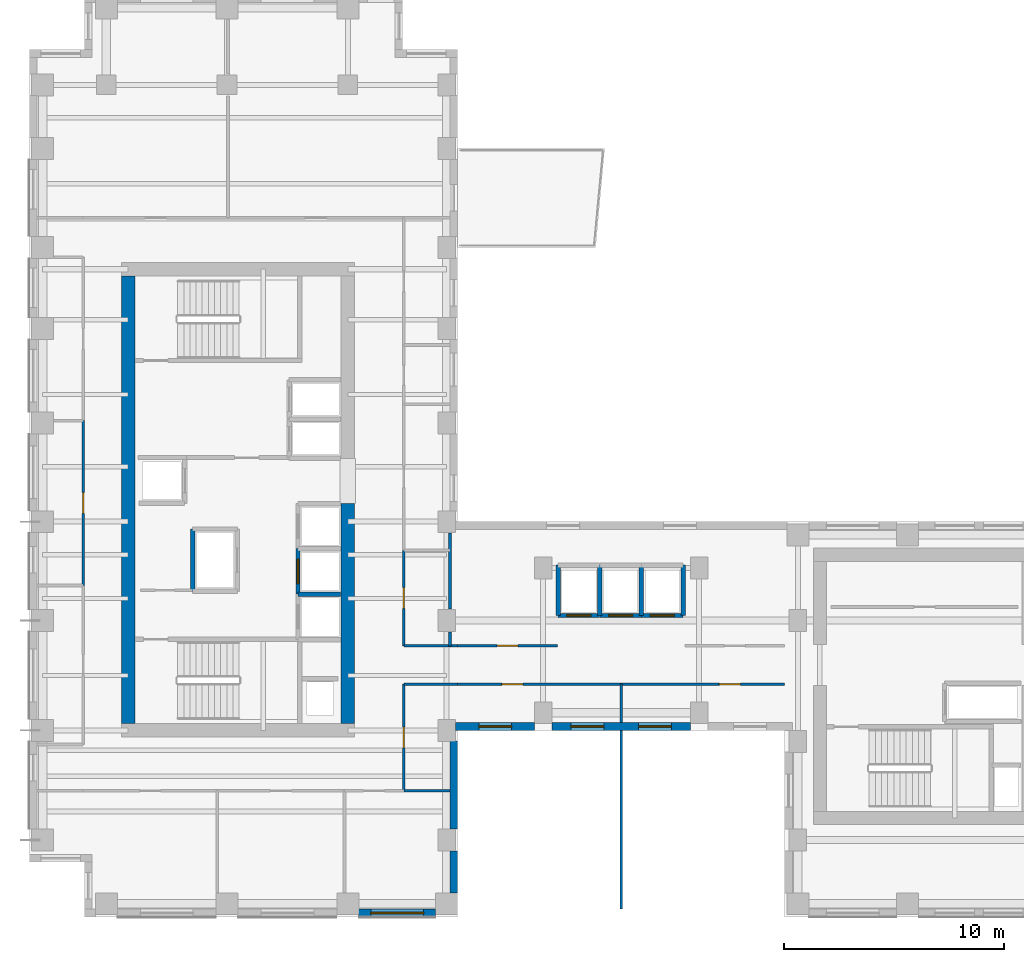
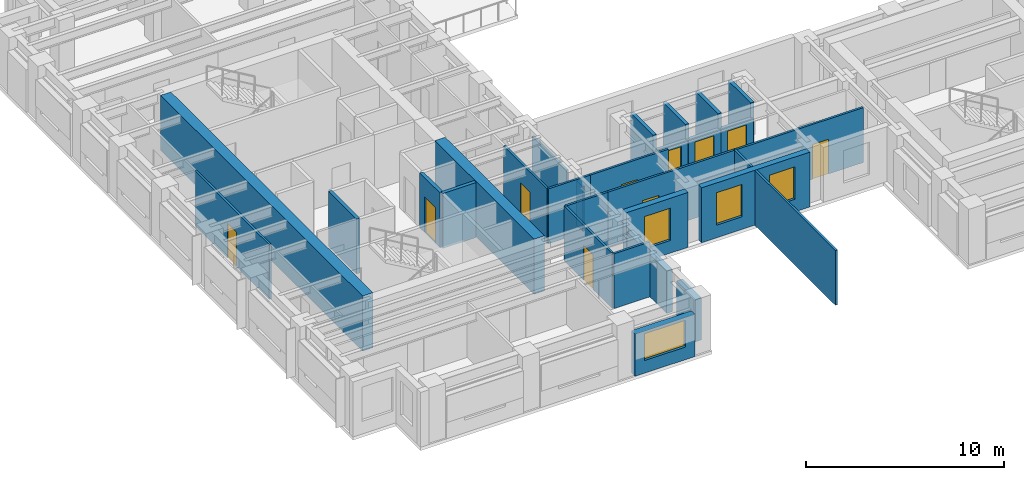
# One storey, part 4 of 10: 30 walls, 10 doors, 4 windows, 14 openings.
"""IFC4 building model written with IfcOpenShell, lengths in metres."""

from ifc_helpers import new_model, si_unit, direction, frame, frame_2d, origin, place, context, subcontext, project, spatial, rectangle, extrude, source, transform, mapped, material, layer, layer_set, type_object, element, fill, save


model = new_model("IFC4")

# Units and contexts
model_context = context("Model", 3, precision=1e-05, world=origin(), true_north=direction((0.0, 1.0)))
body_context = subcontext(model_context, "Body", "Model", "MODEL_VIEW")
ifc_project = project(units=[si_unit("LENGTHUNIT", "METRE"), si_unit("AREAUNIT", "SQUARE_METRE"), si_unit("VOLUMEUNIT", "CUBIC_METRE"), si_unit("PLANEANGLEUNIT", "RADIAN"), si_unit("MASSUNIT", "GRAM", prefix="KILO")], contexts=[model_context])

# Site, building, storey
site_placement = place(None, origin())
site = spatial("IfcSite", under=ifc_project, at=site_placement, CompositionType="ELEMENT")
building_placement = place(site_placement, origin())
building = spatial("IfcBuilding", under=site, at=building_placement, Name="Kharzan Plaza Tower", CompositionType="ELEMENT")
storey_placement = place(building_placement, frame((0.0, 0.0, 157.5)))
storey = spatial("IfcBuildingStorey", under=building, at=storey_placement, Name="L42", CompositionType="ELEMENT", Elevation=157.5)

# Wall, opening, window
ifc_material_1 = material(Name="Concrete C40/50", Category="concrete")
ifc_layer_1 = layer(ifc_material_1, 0.35009765625)
ifc_layer_set_1 = layer_set([ifc_layer_1], Name="Concrete C40/50")
wall_type_1 = type_object("IfcWallType", Name="WL-EXT-MAS-Z3", PredefinedType="SOLIDWALL", material=ifc_layer_set_1)
wall_1_placement = place(storey_placement, frame((14.998046875, 0.175048828125, 0.0), z_axis=(0.0, 0.0, 1.0), x_axis=(1.0, 0.0, 0.0)))
wall_1 = element("IfcWall", 1, at=wall_1_placement, inside=storey, type_object=wall_type_1, Name="L42 Masonry-Frame Exterior Wall 23", PredefinedType="SOLIDWALL", context=body_context, shape_type="SweptSolid", body=[
    extrude(rectangle(XDim=3.50390625, YDim=0.35009765625, at=frame_2d((1.751953125, 0.0))), origin(), (0.0, 0.0, 1.0), 2.612060546875),
])
opening_1_placement = place(wall_1_placement, frame((0.552001953125, 0.0, 0.780029296875)))
opening_1 = element("IfcOpeningElement", 2, at=opening_1_placement, cuts=wall_1, Name="Opening W2", PredefinedType="OPENING", context=body_context, shape_type="SweptSolid", body=[
    extrude(rectangle(XDim=2.39990234375, YDim=1.652099609375, at=frame_2d((1.199951171875, 0.826171875))), frame((0.0, 0.18505859375, 0.0), z_axis=(0.0, -1.0, 0.0), x_axis=(1.0, 0.0, 0.0)), (0.0, 0.0, 1.0), 0.3701171875),
])
ifc_material_2 = material(Name="Low-E Double Glazing", Category="glass")
window_type_1 = type_object("IfcWindowType", Name="WN-REC-2400x2100", PartitioningType="SINGLE_PANEL", PredefinedType="WINDOW", material=ifc_material_2)
shared_shape_1 = source(origin(), body_context, "Body", "SweptSolid", [
    extrude(rectangle(XDim=2.39990234375, YDim=1.652099609375, at=frame_2d((1.199951171875, 0.826171875))), frame((0.0, 0.030029296875, 0.0), z_axis=(0.0, -1.0, 0.0), x_axis=(1.0, 0.0, 0.0)), (0.0, 0.0, 1.0), 0.06005859375),
])
window_1_placement = place(opening_1_placement, origin())
window_1 = element("IfcWindow", 3, at=window_1_placement, inside=storey, type_object=window_type_1, Name="L42 Wide Recessed Solar-Control Window 23-1", OverallHeight=1.652099609375, OverallWidth=2.39990234375, PartitioningType="SINGLE_PANEL", PredefinedType="WINDOW", context=body_context, shape_type="MappedRepresentation", body=[
    mapped(shared_shape_1, transform((0.0, 0.0, 0.0), x_axis=(1.0, 0.0, 0.0), y_axis=(0.0, 1.0, 0.0), z_axis=(0.0, 0.0, 1.0))),
])
fill(opening_1, window_1)

wall_2_placement = place(storey_placement, frame((19.39794921875, 8.675048828125, 0.0), z_axis=(0.0, 0.0, 1.0), x_axis=(1.0, 0.0, 0.0)))
wall_2 = element("IfcWall", 4, at=wall_2_placement, inside=storey, type_object=wall_type_1, Name="L42 Masonry-Frame Exterior Wall 26", PredefinedType="SOLIDWALL", context=body_context, shape_type="SweptSolid", body=[
    extrude(rectangle(XDim=3.60400390625, YDim=0.35009765625, at=frame_2d((1.802001953125, 0.0))), origin(), (0.0, 0.0, 1.0), 3.385009765625),
])
opening_2_placement = place(wall_2_placement, frame((1.067138671875, 0.0, 0.780029296875)))
opening_2 = element("IfcOpeningElement", 5, at=opening_2_placement, cuts=wall_2, Name="Opening W5", PredefinedType="OPENING", context=body_context, shape_type="SweptSolid", body=[
    extrude(rectangle(XDim=1.5, YDim=2.0, at=frame_2d((0.75, 1.0))), frame((0.0, 0.18505859375, 0.0), z_axis=(0.0, -1.0, 0.0), x_axis=(1.0, 0.0, 0.0)), (0.0, 0.0, 1.0), 0.3701171875),
])
window_type_2 = type_object("IfcWindowType", Name="WN-SLT-1500x2000", PartitioningType="SINGLE_PANEL", PredefinedType="WINDOW", material=ifc_material_2)
shared_shape_2 = source(origin(), body_context, "Body", "SweptSolid", [
    extrude(rectangle(XDim=1.5, YDim=2.0, at=frame_2d((0.75, 1.0))), frame((0.0, 0.030029296875, 0.0), z_axis=(0.0, -1.0, 0.0), x_axis=(1.0, 0.0, 0.0)), (0.0, 0.0, 1.0), 0.06005859375),
])
window_2_placement = place(opening_2_placement, origin())
window_2 = element("IfcWindow", 6, at=window_2_placement, inside=storey, type_object=window_type_2, Name="L42 Recessed Solar-Control Window 26-1", OverallHeight=2.0, OverallWidth=1.5, PartitioningType="SINGLE_PANEL", PredefinedType="WINDOW", context=body_context, shape_type="MappedRepresentation", body=[
    mapped(shared_shape_2, transform((0.0, 0.0, 0.0), x_axis=(1.0, 0.0, 0.0), y_axis=(0.0, 1.0, 0.0), z_axis=(0.0, 0.0, 1.0))),
])
fill(opening_2, window_2)

# Wall, openings, windows
wall_3_placement = place(storey_placement, frame((23.798095703125, 8.675048828125, 0.0), z_axis=(0.0, 0.0, 1.0), x_axis=(1.0, 0.0, 0.0)))
wall_3 = element("IfcWall", 7, at=wall_3_placement, inside=storey, type_object=wall_type_1, Name="L42 Masonry-Frame Exterior Wall 27", PredefinedType="SOLIDWALL", context=body_context, shape_type="SweptSolid", body=[
    extrude(rectangle(XDim=6.303955078125, YDim=0.35009765625, at=frame_2d((3.15185546875, 0.0))), origin(), (0.0, 0.0, 1.0), 3.385009765625),
])
opening_3_placement = place(wall_3_placement, frame((0.861083984375, 0.0, 0.780029296875)))
opening_3 = element("IfcOpeningElement", 8, at=opening_3_placement, cuts=wall_3, Name="Opening W5", PredefinedType="OPENING", context=body_context, shape_type="SweptSolid", body=[
    extrude(rectangle(XDim=1.5, YDim=2.0, at=frame_2d((0.75, 1.0))), frame((0.0, 0.18505859375, 0.0), z_axis=(0.0, -1.0, 0.0), x_axis=(1.0, 0.0, 0.0)), (0.0, 0.0, 1.0), 0.3701171875),
])
opening_4_placement = place(wall_3_placement, frame((3.943115234375, 0.0, 0.780029296875)))
opening_4 = element("IfcOpeningElement", 9, at=opening_4_placement, cuts=wall_3, Name="Opening W5", PredefinedType="OPENING", context=body_context, shape_type="SweptSolid", body=[
    extrude(rectangle(XDim=1.5, YDim=2.0, at=frame_2d((0.75, 1.0))), frame((0.0, 0.18505859375, 0.0), z_axis=(0.0, -1.0, 0.0), x_axis=(1.0, 0.0, 0.0)), (0.0, 0.0, 1.0), 0.3701171875),
])
window_3_placement = place(opening_3_placement, origin())
window_3 = element("IfcWindow", 10, at=window_3_placement, inside=storey, type_object=window_type_2, Name="L42 Recessed Solar-Control Window 27-1", OverallHeight=2.0, OverallWidth=1.5, PartitioningType="SINGLE_PANEL", PredefinedType="WINDOW", context=body_context, shape_type="MappedRepresentation", body=[
    mapped(shared_shape_2, transform((0.0, 0.0, 0.0), x_axis=(1.0, 0.0, 0.0), y_axis=(0.0, 1.0, 0.0), z_axis=(0.0, 0.0, 1.0))),
])
fill(opening_3, window_3)
window_4_placement = place(opening_4_placement, origin())
window_4 = element("IfcWindow", 11, at=window_4_placement, inside=storey, type_object=window_type_2, Name="L42 Recessed Solar-Control Window 27-2", OverallHeight=2.0, OverallWidth=1.5, PartitioningType="SINGLE_PANEL", PredefinedType="WINDOW", context=body_context, shape_type="MappedRepresentation", body=[
    mapped(shared_shape_2, transform((0.0, 0.0, 0.0), x_axis=(1.0, 0.0, 0.0), y_axis=(0.0, 1.0, 0.0), z_axis=(0.0, 0.0, 1.0))),
])
fill(opening_4, window_4)

# Wall, opening, door
ifc_material_3 = material(Name="Fire-Rated Gypsum Board Partition", Category="gypsum")
ifc_layer_2 = layer(ifc_material_3, 0.125)
ifc_layer_set_2 = layer_set([ifc_layer_2], Name="Fire-Rated Gypsum Board Partition")
wall_type_2 = type_object("IfcWallType", Name="WL-INT-PART-125", PredefinedType="PARTITIONING", material=ifc_layer_set_2)
wall_4_placement = place(storey_placement, frame((17.050048828125, 12.35009765625, 0.0), z_axis=(0.0, 0.0, 1.0), x_axis=(0.0, 1.0, 0.0)))
wall_4 = element("IfcWall", 12, at=wall_4_placement, inside=storey, type_object=wall_type_2, Name="L42 Interior Partition SH-AEWN1", PredefinedType="PARTITIONING", context=body_context, shape_type="SweptSolid", body=[
    extrude(rectangle(XDim=4.349853515625, YDim=0.125, at=frame_2d((2.1748046875, 0.0))), origin(), (0.0, 0.0, 1.0), 3.385009765625),
])
opening_5_placement = place(wall_4_placement, frame((1.699951171875, 0.0, 0.0)))
opening_5 = element("IfcOpeningElement", 13, at=opening_5_placement, cuts=wall_4, Name="Opening OD1", PredefinedType="OPENING", context=body_context, shape_type="SweptSolid", body=[
    extrude(rectangle(XDim=0.949951171875, YDim=2.14990234375, at=frame_2d((0.47509765625, 1.074951171875))), frame((0.0, 0.072509765625, 0.0), z_axis=(0.0, -1.0, 0.0), x_axis=(1.0, 0.0, 0.0)), (0.0, 0.0, 1.0), 0.14501953125),
])
ifc_material_4 = material(Name="Acoustic Solid-Core Stained Oak", Category="timber")
door_type_1 = type_object("IfcDoorType", Name="DR-OFF-SINGLE", OperationType="NOTDEFINED", PredefinedType="DOOR", material=ifc_material_4)
shared_shape_3 = source(origin(), body_context, "Body", "SweptSolid", [
    extrude(rectangle(XDim=0.949951171875, YDim=2.14990234375, at=frame_2d((0.47509765625, 1.074951171875))), frame((0.0, 0.02490234375, 0.0), z_axis=(0.0, -1.0, 0.0), x_axis=(1.0, 0.0, 0.0)), (0.0, 0.0, 1.0), 0.050048828125),
])
door_1_placement = place(opening_5_placement, origin())
door_1 = element("IfcDoor", 14, at=door_1_placement, inside=storey, type_object=door_type_1, Name="L42 Slot Collaboration Door", OperationType="SINGLE_SWING_LEFT", OverallHeight=2.14990234375, OverallWidth=0.949951171875, PredefinedType="DOOR", context=body_context, shape_type="MappedRepresentation", body=[
    mapped(shared_shape_3, transform((0.0, 0.0, 0.0), x_axis=(1.0, 0.0, 0.0), y_axis=(0.0, 1.0, 0.0), z_axis=(0.0, 0.0, 1.0))),
])
fill(opening_5, door_1)

wall_5_placement = place(storey_placement, frame((17.050048828125, 5.75, 0.0), z_axis=(0.0, 0.0, 1.0), x_axis=(0.0, 1.0, 0.0)))
wall_5 = element("IfcWall", 15, at=wall_5_placement, inside=storey, type_object=wall_type_2, Name="L42 Interior Partition SH-AEWS", PredefinedType="PARTITIONING", context=body_context, shape_type="SweptSolid", body=[
    extrude(rectangle(XDim=4.85009765625, YDim=0.125, at=frame_2d((2.425048828125, 0.0))), origin(), (0.0, 0.0, 1.0), 3.385009765625),
])
opening_6_placement = place(wall_5_placement, frame((1.949951171875, 0.0, 0.0)))
opening_6 = element("IfcOpeningElement", 16, at=opening_6_placement, cuts=wall_5, Name="Opening OD1", PredefinedType="OPENING", context=body_context, shape_type="SweptSolid", body=[
    extrude(rectangle(XDim=0.949951171875, YDim=2.14990234375, at=frame_2d((0.47509765625, 1.074951171875))), frame((0.0, 0.072509765625, 0.0), z_axis=(0.0, -1.0, 0.0), x_axis=(1.0, 0.0, 0.0)), (0.0, 0.0, 1.0), 0.14501953125),
])
door_2_placement = place(opening_6_placement, origin())
door_2 = element("IfcDoor", 17, at=door_2_placement, inside=storey, type_object=door_type_1, Name="L42 Slot South Office Door", OperationType="SINGLE_SWING_RIGHT", OverallHeight=2.14990234375, OverallWidth=0.949951171875, PredefinedType="DOOR", context=body_context, shape_type="MappedRepresentation", body=[
    mapped(shared_shape_3, transform((0.0, 0.0, 0.0), x_axis=(1.0, 0.0, 0.0), y_axis=(0.0, 1.0, 0.0), z_axis=(0.0, 0.0, 1.0))),
])
fill(opening_6, door_2)

wall_6_placement = place(storey_placement, frame((19.5, 12.35009765625, 0.0), z_axis=(0.0, 0.0, 1.0), x_axis=(1.0, 0.0, 0.0)))
wall_6 = element("IfcWall", 18, at=wall_6_placement, inside=storey, type_object=wall_type_2, Name="L42 Interior Partition SH-SPNW1", PredefinedType="PARTITIONING", context=body_context, shape_type="SweptSolid", body=[
    extrude(rectangle(XDim=4.550048828125, YDim=0.125, at=frame_2d((2.27490234375, 0.0))), origin(), (0.0, 0.0, 1.0), 3.385009765625),
])
opening_7_placement = place(wall_6_placement, frame((1.800048828125, 0.0, 0.0)))
opening_7 = element("IfcOpeningElement", 19, at=opening_7_placement, cuts=wall_6, Name="Opening OD1", PredefinedType="OPENING", context=body_context, shape_type="SweptSolid", body=[
    extrude(rectangle(XDim=0.949951171875, YDim=2.14990234375, at=frame_2d((0.47509765625, 1.074951171875))), frame((0.0, 0.072509765625, 0.0), z_axis=(0.0, -1.0, 0.0), x_axis=(1.0, 0.0, 0.0)), (0.0, 0.0, 1.0), 0.14501953125),
])
door_3_placement = place(opening_7_placement, origin())
door_3 = element("IfcDoor", 20, at=door_3_placement, inside=storey, type_object=door_type_1, Name="L42 North-West Spine Door", OperationType="SINGLE_SWING_LEFT", OverallHeight=2.14990234375, OverallWidth=0.949951171875, PredefinedType="DOOR", context=body_context, shape_type="MappedRepresentation", body=[
    mapped(shared_shape_3, transform((0.0, 0.0, 0.0), x_axis=(1.0, 0.0, 0.0), y_axis=(0.0, 1.0, 0.0), z_axis=(0.0, 0.0, 1.0))),
])
fill(opening_7, door_3)

wall_7_placement = place(storey_placement, frame((19.5, 10.60009765625, 0.0), z_axis=(0.0, 0.0, 1.0), x_axis=(1.0, 0.0, 0.0)))
wall_7 = element("IfcWall", 21, at=wall_7_placement, inside=storey, type_object=wall_type_2, Name="L42 Interior Partition SH-SPS1", PredefinedType="PARTITIONING", context=body_context, shape_type="SweptSolid", body=[
    extrude(rectangle(XDim=7.449951171875, YDim=0.125, at=frame_2d((3.72509765625, 0.0))), origin(), (0.0, 0.0, 1.0), 3.385009765625),
])
opening_8_placement = place(wall_7_placement, frame((2.02197265625, 0.0, 0.0)))
opening_8 = element("IfcOpeningElement", 22, at=opening_8_placement, cuts=wall_7, Name="Opening OD1", PredefinedType="OPENING", context=body_context, shape_type="SweptSolid", body=[
    extrude(rectangle(XDim=0.949951171875, YDim=2.14990234375, at=frame_2d((0.47509765625, 1.074951171875))), frame((0.0, 0.072509765625, 0.0), z_axis=(0.0, -1.0, 0.0), x_axis=(1.0, 0.0, 0.0)), (0.0, 0.0, 1.0), 0.14501953125),
])
door_4_placement = place(opening_8_placement, origin())
door_4 = element("IfcDoor", 23, at=door_4_placement, inside=storey, type_object=door_type_1, Name="L42 South Spine West Door", OperationType="SINGLE_SWING_LEFT", OverallHeight=2.14990234375, OverallWidth=0.949951171875, PredefinedType="DOOR", context=body_context, shape_type="MappedRepresentation", body=[
    mapped(shared_shape_3, transform((0.0, 0.0, 0.0), x_axis=(1.0, 0.0, 0.0), y_axis=(0.0, 1.0, 0.0), z_axis=(0.0, 0.0, 1.0))),
])
fill(opening_8, door_4)

wall_8_placement = place(storey_placement, frame((26.949951171875, 10.60009765625, 0.0), z_axis=(0.0, 0.0, 1.0), x_axis=(1.0, 0.0, 0.0)))
wall_8 = element("IfcWall", 24, at=wall_8_placement, inside=storey, type_object=wall_type_2, Name="L42 Interior Partition SH-SPS2", PredefinedType="PARTITIONING", context=body_context, shape_type="SweptSolid", body=[
    extrude(rectangle(XDim=7.449951171875, YDim=0.125, at=frame_2d((3.72509765625, 0.0))), origin(), (0.0, 0.0, 1.0), 3.385009765625),
])
opening_9_placement = place(wall_8_placement, frame((4.47802734375, 0.0, 0.0)))
opening_9 = element("IfcOpeningElement", 25, at=opening_9_placement, cuts=wall_8, Name="Opening OD1", PredefinedType="OPENING", context=body_context, shape_type="SweptSolid", body=[
    extrude(rectangle(XDim=0.949951171875, YDim=2.14990234375, at=frame_2d((0.47509765625, 1.074951171875))), frame((0.0, 0.072509765625, 0.0), z_axis=(0.0, -1.0, 0.0), x_axis=(1.0, 0.0, 0.0)), (0.0, 0.0, 1.0), 0.14501953125),
])
door_5_placement = place(opening_9_placement, origin())
door_5 = element("IfcDoor", 26, at=door_5_placement, inside=storey, type_object=door_type_1, Name="L42 South Spine East Door", OperationType="SINGLE_SWING_RIGHT", OverallHeight=2.14990234375, OverallWidth=0.949951171875, PredefinedType="DOOR", context=body_context, shape_type="MappedRepresentation", body=[
    mapped(shared_shape_3, transform((0.0, 0.0, 0.0), x_axis=(1.0, 0.0, 0.0), y_axis=(0.0, 1.0, 0.0), z_axis=(0.0, 0.0, 1.0))),
])
fill(opening_9, door_5)

wall_9_placement = place(storey_placement, frame((2.449951171875, 15.10009765625, 0.0), z_axis=(0.0, 0.0, 1.0), x_axis=(0.0, 1.0, 0.0)))
wall_9 = element("IfcWall", 27, at=wall_9_placement, inside=storey, type_object=wall_type_2, Name="L42 Interior Partition SH-WW-2", PredefinedType="PARTITIONING", context=body_context, shape_type="SweptSolid", body=[
    extrude(rectangle(XDim=7.5, YDim=0.125, at=frame_2d((3.75, 0.0))), origin(), (0.0, 0.0, 1.0), 3.385009765625),
])
opening_10_placement = place(wall_9_placement, frame((3.27490234375, 0.0, 0.0)))
opening_10 = element("IfcOpeningElement", 28, at=opening_10_placement, cuts=wall_9, Name="Opening OD1", PredefinedType="OPENING", context=body_context, shape_type="SweptSolid", body=[
    extrude(rectangle(XDim=0.949951171875, YDim=2.14990234375, at=frame_2d((0.47509765625, 1.074951171875))), frame((0.0, 0.072509765625, 0.0), z_axis=(0.0, -1.0, 0.0), x_axis=(1.0, 0.0, 0.0)), (0.0, 0.0, 1.0), 0.14501953125),
])
door_6_placement = place(opening_10_placement, origin())
door_6 = element("IfcDoor", 29, at=door_6_placement, inside=storey, type_object=door_type_1, Name="L42 HSE Management Office Door", OperationType="SINGLE_SWING_LEFT", OverallHeight=2.14990234375, OverallWidth=0.949951171875, PredefinedType="DOOR", context=body_context, shape_type="MappedRepresentation", body=[
    mapped(shared_shape_3, transform((0.0, 0.0, 0.0), x_axis=(1.0, 0.0, 0.0), y_axis=(0.0, 1.0, 0.0), z_axis=(0.0, 0.0, 1.0))),
])
fill(opening_10, door_6)

ifc_layer_3 = layer(ifc_material_1, 0.199951171875)
ifc_layer_set_3 = layer_set([ifc_layer_3], Name="Concrete C40/50")
wall_type_3 = type_object("IfcWallType", Name="WL-INT-SHAFT-200", PredefinedType="PARTITIONING", material=ifc_layer_set_3)
wall_10_placement = place(storey_placement, frame((12.22998046875, 14.699951171875, 0.0), z_axis=(0.0, 0.0, 1.0), x_axis=(0.0, 1.0, 0.0)))
wall_10 = element("IfcWall", 30, at=wall_10_placement, inside=storey, type_object=wall_type_3, Name="L42 Interior Partition SHF-PL-H2-W", PredefinedType="PARTITIONING", context=body_context, shape_type="SweptSolid", body=[
    extrude(rectangle(XDim=2.070068359375, YDim=0.199951171875, at=frame_2d((1.03515625, 0.0))), origin(), (0.0, 0.0, 1.0), 3.385009765625),
])
opening_11_placement = place(wall_10_placement, frame((0.485107421875, 0.0, 0.0)))
opening_11 = element("IfcOpeningElement", 31, at=opening_11_placement, cuts=wall_10, Name="Opening LD", PredefinedType="OPENING", context=body_context, shape_type="SweptSolid", body=[
    extrude(rectangle(XDim=1.10009765625, YDim=2.199951171875, at=frame_2d((0.550048828125, 1.10009765625))), frame((0.0, 0.10986328125, 0.0), z_axis=(0.0, -1.0, 0.0), x_axis=(1.0, 0.0, 0.0)), (0.0, 0.0, 1.0), 0.219970703125),
])
ifc_material_5 = material(Name="Brushed Stainless Steel", Category="steel")
door_type_2 = type_object("IfcDoorType", Name="DR-LIFT-SLIDE", OperationType="SLIDING_TO_LEFT", PredefinedType="DOOR", material=ifc_material_5)
shared_shape_4 = source(origin(), body_context, "Body", "SweptSolid", [
    extrude(rectangle(XDim=1.10009765625, YDim=2.199951171875, at=frame_2d((0.550048828125, 1.10009765625))), frame((0.0, 0.02490234375, 0.0), z_axis=(0.0, -1.0, 0.0), x_axis=(1.0, 0.0, 0.0)), (0.0, 0.0, 1.0), 0.050048828125),
])
door_7_placement = place(opening_11_placement, origin())
door_7 = element("IfcDoor", 32, at=door_7_placement, inside=storey, type_object=door_type_2, Name="L42 High-Rise Passenger Lift PL-H2 Sliding Landing Door", OperationType="SLIDING_TO_LEFT", OverallHeight=2.199951171875, OverallWidth=1.10009765625, PredefinedType="DOOR", context=body_context, shape_type="MappedRepresentation", body=[
    mapped(shared_shape_4, transform((0.0, 0.0, 0.0), x_axis=(1.0, 0.0, 0.0), y_axis=(0.0, 1.0, 0.0), z_axis=(0.0, 0.0, 1.0))),
])
fill(opening_11, door_7)

wall_11_placement = place(storey_placement, frame((24.080078125, 13.72998046875, 0.0), z_axis=(0.0, 0.0, 1.0), x_axis=(1.0, 0.0, 0.0)))
wall_11 = element("IfcWall", 33, at=wall_11_placement, inside=storey, type_object=wall_type_3, Name="L42 Interior Partition SHF-PL-M1-S", PredefinedType="PARTITIONING", context=body_context, shape_type="SweptSolid", body=[
    extrude(rectangle(XDim=1.889892578125, YDim=0.199951171875, at=frame_2d((0.94482421875, 0.0))), origin(), (0.0, 0.0, 1.0), 2.466064453125),
])
opening_12_placement = place(wall_11_placement, frame((0.39501953125, 0.0, 0.0)))
opening_12 = element("IfcOpeningElement", 34, at=opening_12_placement, cuts=wall_11, Name="Opening LD", PredefinedType="OPENING", context=body_context, shape_type="SweptSolid", body=[
    extrude(rectangle(XDim=1.10009765625, YDim=2.199951171875, at=frame_2d((0.550048828125, 1.10009765625))), frame((0.0, 0.10986328125, 0.0), z_axis=(0.0, -1.0, 0.0), x_axis=(1.0, 0.0, 0.0)), (0.0, 0.0, 1.0), 0.219970703125),
])
door_8_placement = place(opening_12_placement, origin())
door_8 = element("IfcDoor", 35, at=door_8_placement, inside=storey, type_object=door_type_2, Name="L42 Mid-Rise Passenger Lift PL-M1 Sliding Landing Door", OperationType="SLIDING_TO_LEFT", OverallHeight=2.199951171875, OverallWidth=1.10009765625, PredefinedType="DOOR", context=body_context, shape_type="MappedRepresentation", body=[
    mapped(shared_shape_4, transform((0.0, 0.0, 0.0), x_axis=(1.0, 0.0, 0.0), y_axis=(0.0, 1.0, 0.0), z_axis=(0.0, 0.0, 1.0))),
])
fill(opening_12, door_8)

wall_12_placement = place(storey_placement, frame((25.97998046875, 13.72998046875, 0.0), z_axis=(0.0, 0.0, 1.0), x_axis=(1.0, 0.0, 0.0)))
wall_12 = element("IfcWall", 36, at=wall_12_placement, inside=storey, type_object=wall_type_3, Name="L42 Interior Partition SHF-PL-M2-S", PredefinedType="PARTITIONING", context=body_context, shape_type="SweptSolid", body=[
    extrude(rectangle(XDim=1.89013671875, YDim=0.199951171875, at=frame_2d((0.945068359375, 0.0))), origin(), (0.0, 0.0, 1.0), 2.466064453125),
])
opening_13_placement = place(wall_12_placement, frame((0.39501953125, 0.0, 0.0)))
opening_13 = element("IfcOpeningElement", 37, at=opening_13_placement, cuts=wall_12, Name="Opening LD", PredefinedType="OPENING", context=body_context, shape_type="SweptSolid", body=[
    extrude(rectangle(XDim=1.10009765625, YDim=2.199951171875, at=frame_2d((0.550048828125, 1.10009765625))), frame((0.0, 0.10986328125, 0.0), z_axis=(0.0, -1.0, 0.0), x_axis=(1.0, 0.0, 0.0)), (0.0, 0.0, 1.0), 0.219970703125),
])
door_9_placement = place(opening_13_placement, origin())
door_9 = element("IfcDoor", 38, at=door_9_placement, inside=storey, type_object=door_type_2, Name="L42 Mid-Rise Passenger Lift PL-M2 Sliding Landing Door", OperationType="SLIDING_TO_LEFT", OverallHeight=2.199951171875, OverallWidth=1.10009765625, PredefinedType="DOOR", context=body_context, shape_type="MappedRepresentation", body=[
    mapped(shared_shape_4, transform((0.0, 0.0, 0.0), x_axis=(1.0, 0.0, 0.0), y_axis=(0.0, 1.0, 0.0), z_axis=(0.0, 0.0, 1.0))),
])
fill(opening_13, door_9)

wall_13_placement = place(storey_placement, frame((27.8798828125, 13.72998046875, 0.0), z_axis=(0.0, 0.0, 1.0), x_axis=(1.0, 0.0, 0.0)))
wall_13 = element("IfcWall", 39, at=wall_13_placement, inside=storey, type_object=wall_type_3, Name="L42 Interior Partition SHF-PL-M3-S", PredefinedType="PARTITIONING", context=body_context, shape_type="SweptSolid", body=[
    extrude(rectangle(XDim=1.89013671875, YDim=0.199951171875, at=frame_2d((0.945068359375, 0.0))), origin(), (0.0, 0.0, 1.0), 2.466064453125),
])
opening_14_placement = place(wall_13_placement, frame((0.39501953125, 0.0, 0.0)))
opening_14 = element("IfcOpeningElement", 40, at=opening_14_placement, cuts=wall_13, Name="Opening LD", PredefinedType="OPENING", context=body_context, shape_type="SweptSolid", body=[
    extrude(rectangle(XDim=1.10009765625, YDim=2.199951171875, at=frame_2d((0.550048828125, 1.10009765625))), frame((0.0, 0.10986328125, 0.0), z_axis=(0.0, -1.0, 0.0), x_axis=(1.0, 0.0, 0.0)), (0.0, 0.0, 1.0), 0.219970703125),
])
door_10_placement = place(opening_14_placement, origin())
door_10 = element("IfcDoor", 41, at=door_10_placement, inside=storey, type_object=door_type_2, Name="L42 Mid-Rise Passenger Lift PL-M3 Sliding Landing Door", OperationType="SLIDING_TO_LEFT", OverallHeight=2.199951171875, OverallWidth=1.10009765625, PredefinedType="DOOR", context=body_context, shape_type="MappedRepresentation", body=[
    mapped(shared_shape_4, transform((0.0, 0.0, 0.0), x_axis=(1.0, 0.0, 0.0), y_axis=(0.0, 1.0, 0.0), z_axis=(0.0, 0.0, 1.0))),
])
fill(opening_14, door_10)

# Walls
ifc_material_6 = material(Name="Concrete C50/60", Category="concrete")
ifc_layer_4 = layer(ifc_material_6, 0.60009765625)
ifc_layer_set_4 = layer_set([ifc_layer_4], Name="Concrete C50/60")
wall_type_4 = type_object("IfcWallType", Name="WL-CORE-600", PredefinedType="SHEAR", material=ifc_layer_set_4)
shared_shape_5 = source(origin(), body_context, "Body", "SweptSolid", [
    extrude(rectangle(XDim=10.02001953125, YDim=0.60009765625, at=frame_2d((5.010009765625, 0.0))), origin(), (0.0, 0.0, 1.0), 3.39990234375),
])
wall_14_placement = place(storey_placement, frame((14.5, 8.800048828125, 0.0), z_axis=(0.0, 0.0, 1.0), x_axis=(0.0, 1.0, 0.0)))
element("IfcWall", 42, at=wall_14_placement, inside=storey, type_object=wall_type_4, Name="L42 CORE-A east shear pier 1", PredefinedType="SHEAR", context=body_context, shape_type="MappedRepresentation", body=[
    mapped(shared_shape_5, transform((0.0, 0.0, 0.0), x_axis=(1.0, 0.0, 0.0), y_axis=(0.0, 1.0, 0.0), z_axis=(0.0, 0.0, 1.0))),
])
shared_shape_6 = source(origin(), body_context, "Body", "SweptSolid", [
    extrude(rectangle(XDim=20.39990234375, YDim=0.60009765625, at=frame_2d((10.199951171875, 0.0))), origin(), (0.0, 0.0, 1.0), 3.39990234375),
])
wall_15_placement = place(storey_placement, frame((4.5, 8.800048828125, 0.0), z_axis=(0.0, 0.0, 1.0), x_axis=(0.0, 1.0, 0.0)))
element("IfcWall", 43, at=wall_15_placement, inside=storey, type_object=wall_type_4, Name="L42 CORE-A west RC shear wall", PredefinedType="SHEAR", context=body_context, shape_type="MappedRepresentation", body=[
    mapped(shared_shape_6, transform((0.0, 0.0, 0.0), x_axis=(1.0, 0.0, 0.0), y_axis=(0.0, 1.0, 0.0), z_axis=(0.0, 0.0, 1.0))),
])
shared_shape_7 = source(origin(), body_context, "Body", "SweptSolid", [
    extrude(rectangle(XDim=2.097900390625, YDim=0.125, at=frame_2d((1.048828125, 0.0))), origin(), (0.0, 0.0, 1.0), 3.385009765625),
])
wall_16_placement = place(storey_placement, frame((17.050048828125, 5.75, 0.0), z_axis=(0.0, 0.0, 1.0), x_axis=(1.0, 0.0, 0.0)))
element("IfcWall", 44, at=wall_16_placement, inside=storey, type_object=wall_type_2, Name="L42 Interior Partition SH-SSE-3", PredefinedType="PARTITIONING", context=body_context, shape_type="MappedRepresentation", body=[
    mapped(shared_shape_7, transform((0.0, 0.0, 0.0), x_axis=(1.0, 0.0, 0.0), y_axis=(0.0, 1.0, 0.0), z_axis=(0.0, 0.0, 1.0))),
])
shared_shape_8 = source(origin(), body_context, "Body", "SweptSolid", [
    extrude(rectangle(XDim=0.6298828125, YDim=0.125, at=frame_2d((0.31494140625, 0.0))), origin(), (0.0, 0.0, 1.0), 2.77294921875),
])
wall_17_placement = place(storey_placement, frame((19.14990234375, 12.35009765625, 0.0), z_axis=(0.0, 0.0, 1.0), x_axis=(0.0, 1.0, 0.0)))
element("IfcWall", 45, at=wall_17_placement, inside=storey, type_object=wall_type_2, Name="L42 Interior Partition SH-AEN-DIV-S1", PredefinedType="PARTITIONING", context=body_context, shape_type="MappedRepresentation", body=[
    mapped(shared_shape_8, transform((0.0, 0.0, 0.0), x_axis=(1.0, 0.0, 0.0), y_axis=(0.0, 1.0, 0.0), z_axis=(0.0, 0.0, 1.0))),
])
shared_shape_9 = source(origin(), body_context, "Body", "SweptSolid", [
    extrude(rectangle(XDim=3.4599609375, YDim=0.125, at=frame_2d((1.72998046875, 0.0))), origin(), (0.0, 0.0, 1.0), 2.77294921875),
])
wall_18_placement = place(storey_placement, frame((19.14990234375, 14.02001953125, 0.0), z_axis=(0.0, 0.0, 1.0), x_axis=(0.0, 1.0, 0.0)))
element("IfcWall", 46, at=wall_18_placement, inside=storey, type_object=wall_type_2, Name="L42 Interior Partition SH-AEN-DIV-S2", PredefinedType="PARTITIONING", context=body_context, shape_type="MappedRepresentation", body=[
    mapped(shared_shape_9, transform((0.0, 0.0, 0.0), x_axis=(1.0, 0.0, 0.0), y_axis=(0.0, 1.0, 0.0), z_axis=(0.0, 0.0, 1.0))),
])
shared_shape_10 = source(origin(), body_context, "Body", "SweptSolid", [
    extrude(rectangle(XDim=2.449951171875, YDim=0.125, at=frame_2d((1.22509765625, 0.0))), origin(), (0.0, 0.0, 1.0), 3.385009765625),
])
for number, where, z_axis, x_axis, name in (
    (47, (17.050048828125, 12.35009765625, 0.0), (0.0, 0.0, 1.0), (1.0, 0.0, 0.0), "L42 Interior Partition SH-SPNW0"),
    (48, (17.050048828125, 10.60009765625, 0.0), (0.0, 0.0, 1.0), (1.0, 0.0, 0.0), "L42 Interior Partition SH-SPS0"),
):
    element("IfcWall", number, at=place(storey_placement, frame(where, z_axis=z_axis, x_axis=x_axis)), inside=storey, type_object=wall_type_2, Name=name, PredefinedType="PARTITIONING", context=body_context, shape_type="MappedRepresentation", body=[
        mapped(shared_shape_10, transform((0.0, 0.0, 0.0), x_axis=(1.0, 0.0, 0.0), y_axis=(0.0, 1.0, 0.0), z_axis=(0.0, 0.0, 1.0))),
    ])
shared_shape_11 = source(origin(), body_context, "Body", "SweptSolid", [
    extrude(rectangle(XDim=1.93994140625, YDim=0.199951171875, at=frame_2d((0.969970703125, 0.0))), origin(), (0.0, 0.0, 1.0), 3.385009765625),
])
wall_19_placement = place(storey_placement, frame((12.22998046875, 14.699951171875, 0.0), z_axis=(0.0, 0.0, 1.0), x_axis=(1.0, 0.0, 0.0)))
element("IfcWall", 49, at=wall_19_placement, inside=storey, type_object=wall_type_3, Name="L42 Interior Partition SHF-PL-H1-N", PredefinedType="PARTITIONING", context=body_context, shape_type="MappedRepresentation", body=[
    mapped(shared_shape_11, transform((0.0, 0.0, 0.0), x_axis=(1.0, 0.0, 0.0), y_axis=(0.0, 1.0, 0.0), z_axis=(0.0, 0.0, 1.0))),
])
shared_shape_12 = source(origin(), body_context, "Body", "SweptSolid", [
    extrude(rectangle(XDim=2.2900390625, YDim=0.199951171875, at=frame_2d((1.14501953125, 0.0))), origin(), (0.0, 0.0, 1.0), 3.385009765625),
])
for number, where, z_axis, x_axis, name in (
    (50, (25.969970703125, 13.72998046875, 0.0), (0.0, 0.0, 1.0), (0.0, 1.0, 0.0), "L42 Interior Partition SHF-PL-M1-E"),
    (51, (24.080078125, 13.72998046875, 0.0), (0.0, 0.0, 1.0), (0.0, 1.0, 0.0), "L42 Interior Partition SHF-PL-M1-W"),
    (52, (27.8701171875, 13.72998046875, 0.0), (0.0, 0.0, 1.0), (0.0, 1.0, 0.0), "L42 Interior Partition SHF-PL-M2-E"),
    (53, (29.77001953125, 13.72998046875, 0.0), (0.0, 0.0, 1.0), (0.0, 1.0, 0.0), "L42 Interior Partition SHF-PL-M3-E"),
):
    element("IfcWall", number, at=place(storey_placement, frame(where, z_axis=z_axis, x_axis=x_axis)), inside=storey, type_object=wall_type_3, Name=name, PredefinedType="PARTITIONING", context=body_context, shape_type="MappedRepresentation", body=[
        mapped(shared_shape_12, transform((0.0, 0.0, 0.0), x_axis=(1.0, 0.0, 0.0), y_axis=(0.0, 1.0, 0.0), z_axis=(0.0, 0.0, 1.0))),
    ])
shared_shape_13 = source(origin(), body_context, "Body", "SweptSolid", [
    extrude(rectangle(XDim=2.83984375, YDim=0.199951171875, at=frame_2d((1.419921875, 0.0))), origin(), (0.0, 0.0, 1.0), 3.385009765625),
])
wall_20_placement = place(storey_placement, frame((7.429931640625, 14.830078125, 0.0), z_axis=(0.0, 0.0, 1.0), x_axis=(0.0, 1.0, 0.0)))
element("IfcWall", 54, at=wall_20_placement, inside=storey, type_object=wall_type_3, Name="L42 Interior Partition SHF-SVL-1-W", PredefinedType="PARTITIONING", context=body_context, shape_type="MappedRepresentation", body=[
    mapped(shared_shape_13, transform((0.0, 0.0, 0.0), x_axis=(1.0, 0.0, 0.0), y_axis=(0.0, 1.0, 0.0), z_axis=(0.0, 0.0, 1.0))),
])
shared_shape_14 = source(origin(), body_context, "Body", "SweptSolid", [
    extrude(rectangle(XDim=1.904052734375, YDim=0.35009765625, at=frame_2d((0.9521484375, 0.0))), origin(), (0.0, 0.0, 1.0), 2.612060546875),
])
wall_21_placement = place(storey_placement, frame((19.324951171875, 1.097900390625, 0.0), z_axis=(0.0, 0.0, 1.0), x_axis=(0.0, 1.0, 0.0)))
element("IfcWall", 55, at=wall_21_placement, inside=storey, type_object=wall_type_1, Name="L42 Masonry-Frame Exterior Wall 24", PredefinedType="SOLIDWALL", context=body_context, shape_type="MappedRepresentation", body=[
    mapped(shared_shape_14, transform((0.0, 0.0, 0.0), x_axis=(1.0, 0.0, 0.0), y_axis=(0.0, 1.0, 0.0), z_axis=(0.0, 0.0, 1.0))),
])
shared_shape_15 = source(origin(), body_context, "Body", "SweptSolid", [
    extrude(rectangle(XDim=4.00390625, YDim=0.35009765625, at=frame_2d((2.001953125, 0.0))), origin(), (0.0, 0.0, 1.0), 2.612060546875),
])
wall_22_placement = place(storey_placement, frame((19.324951171875, 3.998046875, 0.0), z_axis=(0.0, 0.0, 1.0), x_axis=(0.0, 1.0, 0.0)))
element("IfcWall", 56, at=wall_22_placement, inside=storey, type_object=wall_type_1, Name="L42 Masonry-Frame Exterior Wall 25", PredefinedType="SOLIDWALL", context=body_context, shape_type="MappedRepresentation", body=[
    mapped(shared_shape_15, transform((0.0, 0.0, 0.0), x_axis=(1.0, 0.0, 0.0), y_axis=(0.0, 1.0, 0.0), z_axis=(0.0, 0.0, 1.0))),
])
shared_shape_16 = source(origin(), body_context, "Body", "SweptSolid", [
    extrude(rectangle(XDim=8.14794921875, YDim=0.125, at=frame_2d((4.073974609375, 0.0))), origin(), (0.0, 0.0, 1.0), 3.385009765625),
])
wall_23_placement = place(storey_placement, frame((26.949951171875, 0.35009765625, 0.0), z_axis=(0.0, 0.0, 1.0), x_axis=(0.0, 1.0, 0.0)))
element("IfcWall", 57, at=wall_23_placement, inside=storey, type_object=wall_type_2, Name="L42 Interior Partition SH-SPSV1-S1", PredefinedType="PARTITIONING", context=body_context, shape_type="MappedRepresentation", body=[
    mapped(shared_shape_16, transform((0.0, 0.0, 0.0), x_axis=(1.0, 0.0, 0.0), y_axis=(0.0, 1.0, 0.0), z_axis=(0.0, 0.0, 1.0))),
])
shared_shape_17 = source(origin(), body_context, "Body", "SweptSolid", [
    extrude(rectangle(XDim=1.748046875, YDim=0.125, at=frame_2d((0.8740234375, 0.0))), origin(), (0.0, 0.0, 1.0), 3.385009765625),
])
wall_24_placement = place(storey_placement, frame((26.949951171875, 8.85205078125, 0.0), z_axis=(0.0, 0.0, 1.0), x_axis=(0.0, 1.0, 0.0)))
element("IfcWall", 58, at=wall_24_placement, inside=storey, type_object=wall_type_2, Name="L42 Interior Partition SH-SPSV1-S2", PredefinedType="PARTITIONING", context=body_context, shape_type="MappedRepresentation", body=[
    mapped(shared_shape_17, transform((0.0, 0.0, 0.0), x_axis=(1.0, 0.0, 0.0), y_axis=(0.0, 1.0, 0.0), z_axis=(0.0, 0.0, 1.0))),
])

save(model, "model.ifc")
